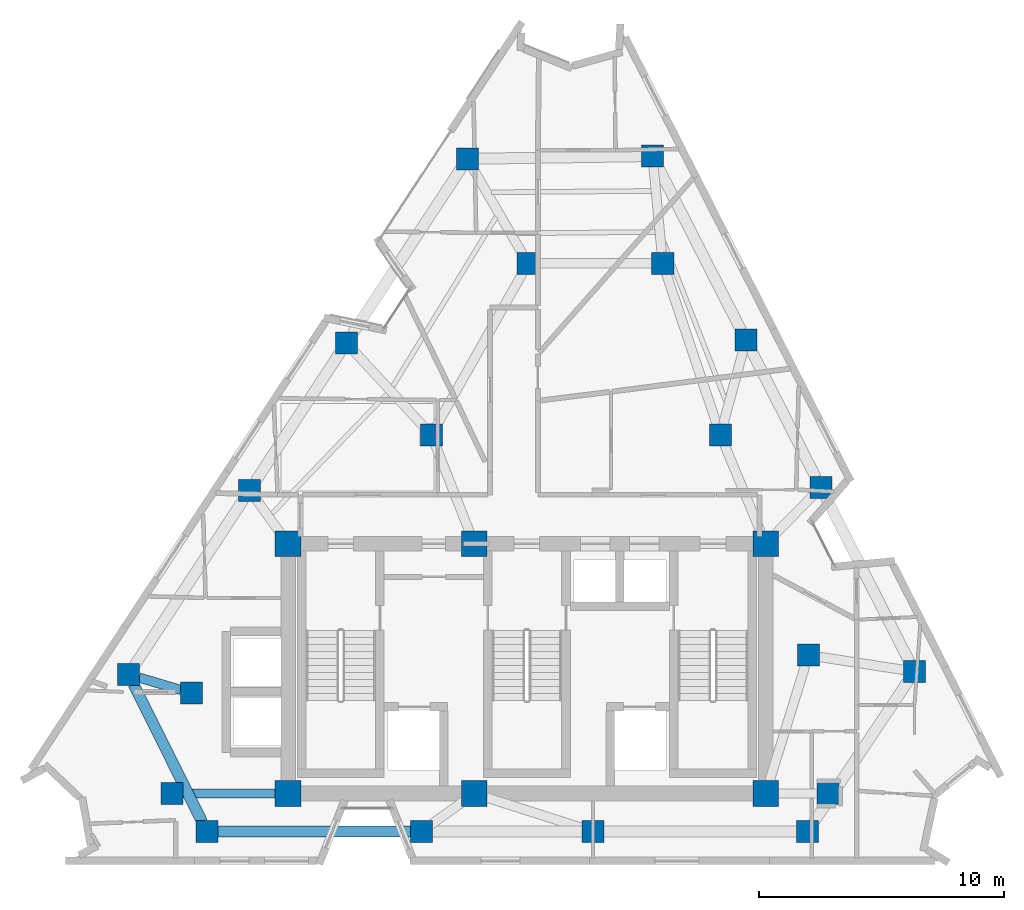
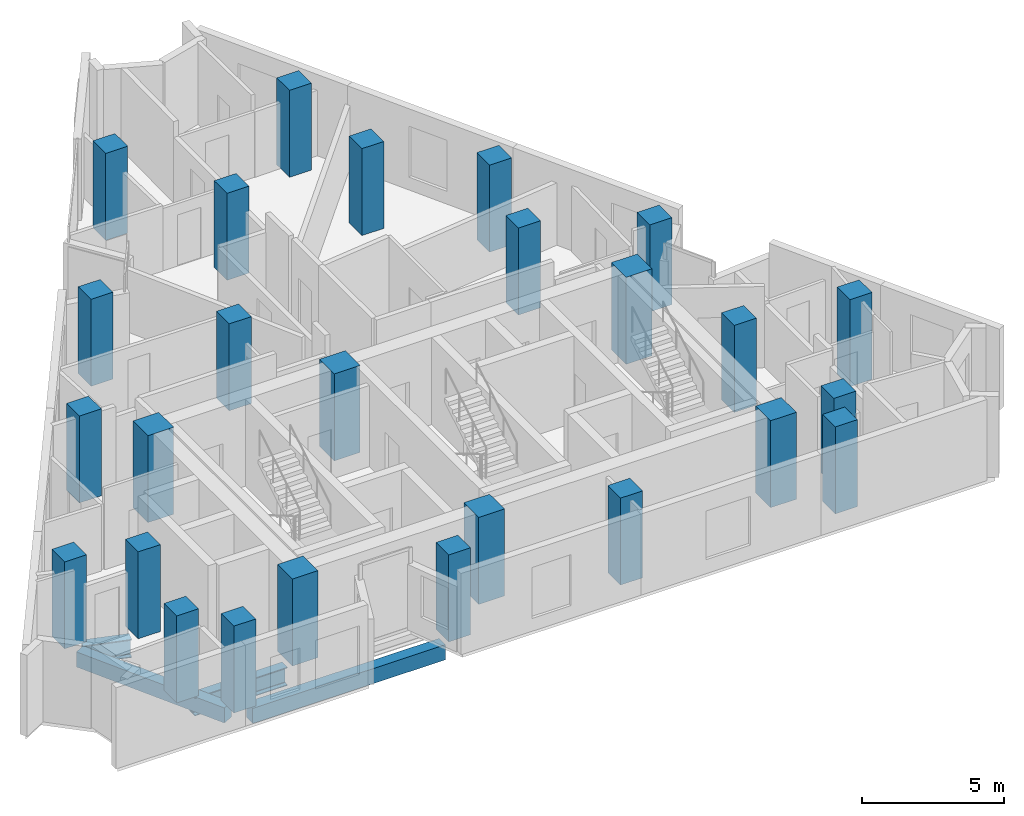
# One storey, part 1 of 10: 26 columns, 4 beams.
"""IFC4 building model written with IfcOpenShell, lengths in metres."""

from ifc_helpers import new_model, si_unit, direction, frame, origin, origin_2d, place, context, subcontext, project, spatial, rectangle, i_section, extrude, material, material_profile, profile_set, type_object, element, save


model = new_model("IFC4")

# Units and contexts
model_context = context("Model", 3, precision=1e-05, world=origin(), true_north=direction((0.0, 1.0)))
body_context = subcontext(model_context, "Body", "Model", "MODEL_VIEW")
ifc_project = project(units=[si_unit("LENGTHUNIT", "METRE"), si_unit("AREAUNIT", "SQUARE_METRE"), si_unit("VOLUMEUNIT", "CUBIC_METRE"), si_unit("PLANEANGLEUNIT", "RADIAN"), si_unit("MASSUNIT", "GRAM", prefix="KILO")], contexts=[model_context])

# Site, building, storey
site_placement = place(None, origin())
site = spatial("IfcSite", under=ifc_project, at=site_placement, CompositionType="ELEMENT")
building_placement = place(site_placement, origin())
building = spatial("IfcBuilding", under=site, at=building_placement, Name="Almagre Mirador Tower", CompositionType="ELEMENT")
storey_placement = place(building_placement, frame((0.0, 0.0, 233.25)))
storey = spatial("IfcBuildingStorey", under=building, at=storey_placement, Name="L60", CompositionType="ELEMENT", Elevation=233.25)

# Columns
ifc_material_1 = material(Name="Concrete C60/75", Category="concrete")
ifc_material_profile_1 = material_profile(ifc_material_1, rectangle(XDim=1.050048828125, YDim=1.050048828125, at=origin_2d()), Name="RC1050X1050")
ifc_profile_set_1 = profile_set([ifc_material_profile_1], Name="Concrete C60/75")
column_type_1 = type_object("IfcColumnType", Name="COL-RC1050", PredefinedType="COLUMN", material=ifc_profile_set_1)
for number, where, z_axis, x_axis, name in (
    (1, (27.550048828125, 4.550048828125, 0.0), (0.0, 0.0, 1.0), (1.0, 0.0, 0.0), "L60 core spine column CC1"),
    (2, (35.14990234375, 4.550048828125, 0.0), (0.0, 0.0, 1.0), (1.0, 0.0, 0.0), "L60 core spine column CC2"),
    (3, (47.050048828125, 4.550048828125, 0.0), (0.0, 0.0, 1.0), (1.0, 0.0, 0.0), "L60 core spine column CC3"),
    (4, (27.550048828125, 14.75, 0.0), (0.0, 0.0, 1.0), (1.0, 0.0, 0.0), "L60 core spine column CC4"),
    (5, (35.14990234375, 14.75, 0.0), (0.0, 0.0, 1.0), (1.0, 0.0, 0.0), "L60 core spine column CC5"),
    (6, (47.050048828125, 14.75, 0.0), (0.0, 0.0, 1.0), (1.0, 0.0, 0.0), "L60 core spine column CC6"),
):
    element("IfcColumn", number, at=place(storey_placement, frame(where, z_axis=z_axis, x_axis=x_axis)), inside=storey, type_object=column_type_1, Name=name, PredefinedType="COLUMN", context=body_context, shape_type="SweptSolid", body=[
        extrude(rectangle(XDim=1.050048828125, YDim=1.050048828125, at=origin_2d()), origin(), (0.0, 0.0, 1.0), 3.75),
    ])
ifc_material_2 = material(Name="Concrete C60/75", Category="concrete")
ifc_material_profile_2 = material_profile(ifc_material_2, rectangle(XDim=0.89990234375, YDim=0.89990234375, at=origin_2d()), Name="RC900X900")
ifc_profile_set_2 = profile_set([ifc_material_profile_2], Name="Concrete C60/75")
column_type_2 = type_object("IfcColumnType", Name="COL-RC900", PredefinedType="COLUMN", material=ifc_profile_set_2)
for number, where, z_axis, x_axis, name in (
    (7, (22.800048828125, 4.550048828125, 0.0), (0.0, 0.0, 1.0), (1.0, 0.0, 0.0), "L60 interior transfer column MC1"),
    (8, (49.60009765625, 4.550048828125, 0.0), (0.0, 0.0, 1.0), (1.0, 0.0, 0.0), "L60 interior transfer column MC2"),
    (9, (48.800048828125, 10.199951171875, 0.0), (0.0, 0.0, 1.0), (1.0, 0.0, 0.0), "L60 interior transfer column MC3"),
    (10, (45.199951171875, 19.199951171875, 0.0), (0.0, 0.0, 1.0), (1.0, 0.0, 0.0), "L60 interior transfer column MC5"),
    (11, (42.85009765625, 26.199951171875, 0.0), (0.0, 0.0, 1.0), (1.0, 0.0, 0.0), "L60 interior transfer column MC6"),
    (12, (37.35009765625, 26.199951171875, 0.0), (0.0, 0.0, 1.0), (1.0, 0.0, 0.0), "L60 interior transfer column MC7"),
    (13, (33.39990234375, 19.199951171875, 0.0), (0.0, 0.0, 1.0), (1.0, 0.0, 0.0), "L60 interior transfer column MC8"),
    (14, (23.60009765625, 8.64990234375, 0.0), (0.0, 0.0, 1.0), (1.0, 0.0, 0.0), "L60 interior transfer column MC10"),
    (15, (24.236083984375, 3.0, 0.0), (0.0, 0.0, 1.0), (1.0, 0.0, 0.0), "L60 perimeter column PC01"),
    (16, (32.99609375, 3.0, 0.0), (0.0, 0.0, 1.0), (1.0, 0.0, 0.0), "L60 perimeter column PC02"),
    (17, (40.00390625, 3.0, 0.0), (0.0, 0.0, 1.0), (1.0, 0.0, 0.0), "L60 perimeter column PC03"),
    (18, (48.763916015625, 3.0, 0.0), (0.0, 0.0, 1.0), (1.0, 0.0, 0.0), "L60 perimeter column PC04"),
    (19, (53.1279296875, 9.529052734375, 0.0), (0.0, 0.0, 1.0), (1.0, 0.0, 0.0), "L60 perimeter column PC05"),
    (20, (49.30810546875, 17.049072265625, 0.0), (0.0, 0.0, 1.0), (1.0, 0.0, 0.0), "L60 perimeter column PC06"),
    (21, (46.251953125, 23.06494140625, 0.0), (0.0, 0.0, 1.0), (1.0, 0.0, 0.0), "L60 perimeter column PC07"),
    (22, (42.431884765625, 30.5849609375, 0.0), (0.0, 0.0, 1.0), (1.0, 0.0, 0.0), "L60 perimeter column PC08"),
    (23, (34.868896484375, 30.468994140625, 0.0), (0.0, 0.0, 1.0), (1.0, 0.0, 0.0), "L60 perimeter column PC09"),
    (24, (29.928955078125, 22.948974609375, 0.0), (0.0, 0.0, 1.0), (1.0, 0.0, 0.0), "L60 perimeter column PC10"),
    (25, (25.97705078125, 16.93310546875, 0.0), (0.0, 0.0, 1.0), (1.0, 0.0, 0.0), "L60 perimeter column PC11"),
    (26, (21.037109375, 9.4130859375, 0.0), (0.0, 0.0, 1.0), (1.0, 0.0, 0.0), "L60 perimeter column PC12"),
):
    element("IfcColumn", number, at=place(storey_placement, frame(where, z_axis=z_axis, x_axis=x_axis)), inside=storey, type_object=column_type_2, Name=name, PredefinedType="COLUMN", context=body_context, shape_type="SweptSolid", body=[
        extrude(rectangle(XDim=0.89990234375, YDim=0.89990234375, at=origin_2d()), origin(), (0.0, 0.0, 1.0), 3.75),
    ])

# Beams
ifc_material_3 = material(Name="Precast concrete C50/60", Category="concrete")
ifc_material_profile_3 = material_profile(ifc_material_3, rectangle(XDim=0.449951171875, YDim=0.64990234375, at=origin_2d()), Name="RC450X650")
ifc_profile_set_3 = profile_set([ifc_material_profile_3], Name="Precast concrete C50/60")
beam_type_1 = type_object("IfcBeamType", Name="BM-SPN-RC450X650", PredefinedType="SPANDREL", material=ifc_profile_set_3)
beam_1_placement = place(storey_placement, frame((24.68603515625, 3.0, -0.574951171875), z_axis=(1.0, 0.0, 0.0), x_axis=(0.0, 1.0, 0.0)))
element("IfcBeam", 27, at=beam_1_placement, inside=storey, type_object=beam_type_1, Name="L60 perimeter spandrel beam PC01-PC02", PredefinedType="SPANDREL", context=body_context, shape_type="SweptSolid", body=[
    extrude(rectangle(XDim=0.449951171875, YDim=0.64990234375, at=origin_2d()), origin(), (0.0, 0.0, 1.0), 7.85986328125),
])
beam_2_placement = place(storey_placement, frame((21.23779296875, 9.01025390625, -0.574951171875), z_axis=(0.446387482803, -0.894839770684, 0.0), x_axis=(0.894839770684, 0.446387482803, 0.0)))
element("IfcBeam", 28, at=beam_2_placement, inside=storey, type_object=beam_type_1, Name="L60 perimeter spandrel beam PC12-PC01", PredefinedType="SPANDREL", context=body_context, shape_type="SweptSolid", body=[
    extrude(rectangle(XDim=0.449951171875, YDim=0.64990234375, at=origin_2d()), origin(), (0.0, 0.0, 1.0), 6.2666015625),
])
ifc_material_4 = material(Name="Steel ASTM A992 Grade 50", Category="steel")
ifc_material_profile_4 = material_profile(ifc_material_4, i_section(OverallWidth=0.384033203125, OverallDepth=0.784912109375, WebThickness=0.019775390625, FlangeThickness=0.033447265625, FilletRadius=0.02392578125, at=origin_2d()), Name="W30X211")
ifc_profile_set_4 = profile_set([ifc_material_profile_4], Name="Steel ASTM A992 Grade 50")
beam_type_2 = type_object("IfcBeamType", Name="BM-STL-W30X211", PredefinedType="BEAM", material=ifc_profile_set_4)
beam_3_placement = place(storey_placement, frame((23.25, 4.550048828125, -0.642578125), z_axis=(1.0, 0.0, 0.0), x_axis=(0.0, 1.0, 0.0)))
element("IfcBeam", 29, at=beam_3_placement, inside=storey, type_object=beam_type_2, Name="L60 core tie girder MC1-CC1", PredefinedType="BEAM", context=body_context, shape_type="SweptSolid", body=[
    extrude(i_section(OverallWidth=0.384033203125, OverallDepth=0.784912109375, WebThickness=0.019775390625, FlangeThickness=0.033447265625, FilletRadius=0.02392578125, at=origin_2d()), origin(), (0.0, 0.0, 1.0), 3.77490234375),
])
beam_4_placement = place(storey_placement, frame((21.46826171875, 9.28466796875, -0.642578125), z_axis=(0.958411312387, -0.285390532935, 0.0), x_axis=(0.285390532935, 0.958411312387, 0.0)))
element("IfcBeam", 30, at=beam_4_placement, inside=storey, type_object=beam_type_2, Name="L60 radial floor girder PC12-MC10", PredefinedType="BEAM", context=body_context, shape_type="SweptSolid", body=[
    extrude(i_section(OverallWidth=0.384033203125, OverallDepth=0.784912109375, WebThickness=0.019775390625, FlangeThickness=0.033447265625, FilletRadius=0.02392578125, at=origin_2d()), origin(), (0.0, 0.0, 1.0), 1.774169921875),
])

save(model, "model.ifc")
